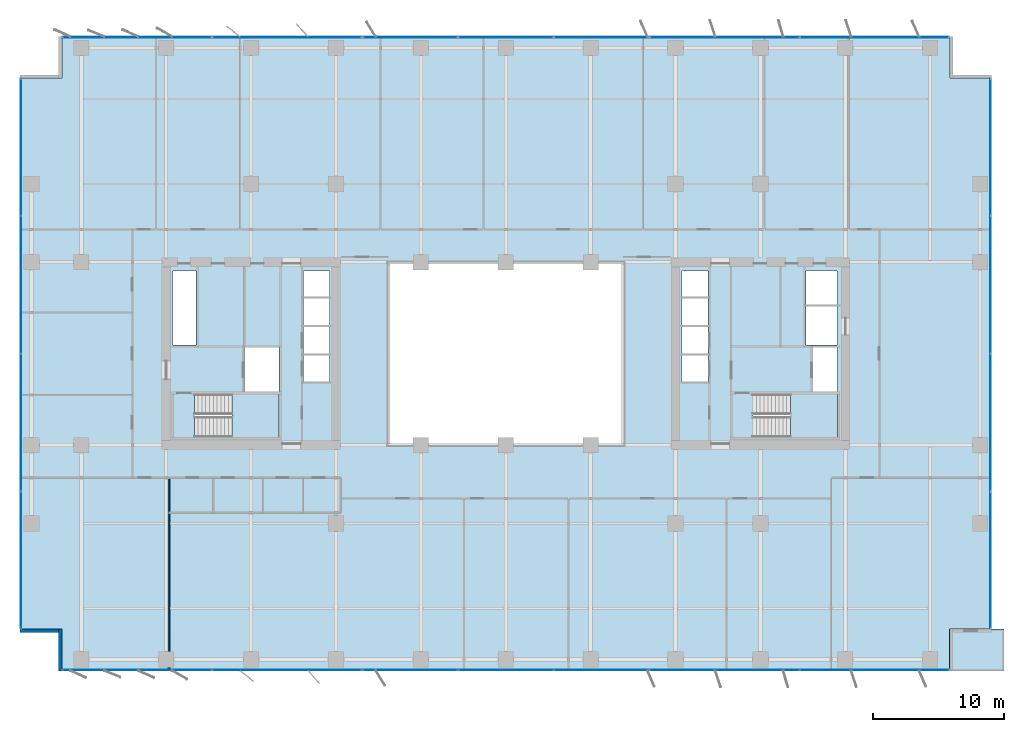
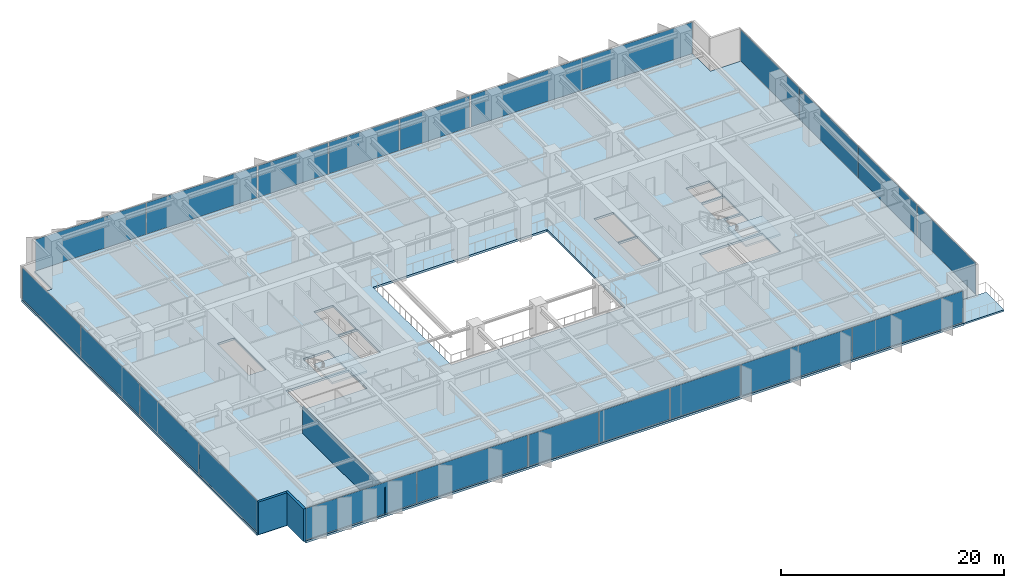
# One storey, part 12 of 20: 22 plates, 4 slabs, 3 walls, 10 elements without a shape of their own.
"""IFC4 building model written with IfcOpenShell, lengths in metres."""

from ifc_helpers import new_model, si_unit, direction, frame, frame_2d, origin, origin_2d, place, context, subcontext, project, spatial, polyline, rectangle, outline, extrude, material, layer, layer_set, type_object, element, aggregate, save


model = new_model("IFC4")

# Units and contexts
model_context = context("Model", 3, precision=1e-05, world=origin(), true_north=direction((0.0, 1.0)))
body_context = subcontext(model_context, "Body", "Model", "MODEL_VIEW")
ifc_project = project(units=[si_unit("LENGTHUNIT", "METRE"), si_unit("AREAUNIT", "SQUARE_METRE"), si_unit("VOLUMEUNIT", "CUBIC_METRE"), si_unit("PLANEANGLEUNIT", "RADIAN"), si_unit("MASSUNIT", "GRAM", prefix="KILO")], contexts=[model_context])

# Site, building, storey
site_placement = place(None, origin())
site = spatial("IfcSite", under=ifc_project, at=site_placement, CompositionType="ELEMENT")
building_placement = place(site_placement, origin())
building = spatial("IfcBuilding", under=site, at=building_placement, Name="Putna Gate Headquarters", CompositionType="ELEMENT")
storey_placement = place(building_placement, frame((0.0, 0.0, 120.199951171875)))
storey = spatial("IfcBuildingStorey", under=building, at=storey_placement, Name="L29", CompositionType="ELEMENT", Elevation=120.199951171875)

# Stair, slab
ifc_material_1 = material(Name="Concrete C40/50", Category="concrete")
stair_type_1 = type_object("IfcStairType", Name="STAIR-ST1", PredefinedType="HALF_TURN_STAIR", material=ifc_material_1)
stair_1_placement = place(storey_placement, origin())
stair_1 = element("IfcStair", 1, at=stair_1_placement, inside=storey, type_object=stair_type_1, Name="L29 West Core Exit Stair ST1", PredefinedType="HALF_TURN_STAIR")
ifc_layer_1 = layer(ifc_material_1, 0.199951171875)
ifc_layer_set_1 = layer_set([ifc_layer_1], Name="Concrete C40/50")
slab_type_1 = type_object("IfcSlabType", Name="LANDING-ST1", PredefinedType="LANDING", material=ifc_layer_set_1)
slab_1_placement = place(storey_placement, frame((0.0, 0.0, 1.699951171875)))
slab_1 = element("IfcSlab", 2, at=slab_1_placement, type_object=slab_type_1, Name="ST1 landing 1", PredefinedType="LANDING", context=body_context, shape_type="SweptSolid", body=[
    extrude(outline(polyline([(18.050048828125, 19.60009765625), (21.64990234375, 19.60009765625), (21.64990234375, 22.89990234375), (18.050048828125, 22.89990234375), (18.050048828125, 19.60009765625)])), origin(), (0.0, 0.0, 1.0), 0.2001953125),
])
aggregate(stair_1, [slab_1])

stair_type_2 = type_object("IfcStairType", Name="STAIR-ST2", PredefinedType="HALF_TURN_STAIR", material=ifc_material_1)
stair_2_placement = place(storey_placement, origin())
stair_2 = element("IfcStair", 3, at=stair_2_placement, inside=storey, type_object=stair_type_2, Name="L29 East Core Exit Stair ST2", PredefinedType="HALF_TURN_STAIR")
ifc_layer_2 = layer(ifc_material_1, 0.199951171875)
ifc_layer_set_2 = layer_set([ifc_layer_2], Name="Concrete C40/50")
slab_type_2 = type_object("IfcSlabType", Name="LANDING-ST2", PredefinedType="LANDING", material=ifc_layer_set_2)
slab_2_placement = place(storey_placement, frame((0.0, 0.0, 1.699951171875)))
slab_2 = element("IfcSlab", 4, at=slab_2_placement, type_object=slab_type_2, Name="ST2 landing 1", PredefinedType="LANDING", context=body_context, shape_type="SweptSolid", body=[
    extrude(outline(polyline([(60.800048828125, 19.60009765625), (64.39990234375, 19.60009765625), (64.39990234375, 22.89990234375), (60.800048828125, 22.89990234375), (60.800048828125, 19.60009765625)])), origin(), (0.0, 0.0, 1.0), 0.2001953125),
])
aggregate(stair_2, [slab_2])

# Curtain wall, plates
ifc_material_2 = material(Name="Anodised bronze aluminium curtain wall", Category="aluminium")
ifc_layer_3 = layer(ifc_material_2, 0.159912109375)
ifc_layer_set_3 = layer_set([ifc_layer_3], Name="Anodised bronze aluminium curtain wall")
curtain_wall_type_1 = type_object("IfcCurtainWallType", Name="CW-SYS-Z2", PredefinedType="USERDEFINED", material=ifc_layer_set_3)
curtain_wall_1_placement = place(storey_placement, origin())
curtain_wall_1 = element("IfcCurtainWall", 5, at=curtain_wall_1_placement, inside=storey, type_object=curtain_wall_type_1, Name="L29 South West Curtain Wall", ObjectType="STICK CURTAIN WALL", PredefinedType="USERDEFINED")
ifc_material_3 = material(Name="Solar-control triple low-E glass", Category="glass")
ifc_layer_4 = layer(ifc_material_3, 0.030029296875)
ifc_layer_set_4 = layer_set([ifc_layer_4], Name="Solar-control triple low-E glass")
plate_type_1 = type_object("IfcPlateType", Name="PAN-CWP-2", PredefinedType="CURTAIN_PANEL", material=ifc_layer_set_4)
plate_1_placement = place(storey_placement, frame((10.766357421875, 1.780029296875, 0.06494140625), z_axis=(0.0, 0.0, 1.0), x_axis=(1.0, 0.0, 0.0)))
plate_1 = element("IfcPlate", 6, at=plate_1_placement, type_object=plate_type_1, Name="CWS-2 panel 1.1", PredefinedType="CURTAIN_PANEL", context=body_context, shape_type="SweptSolid", body=[
    extrude(rectangle(XDim=11.402587890625, YDim=0.030029296875, at=origin_2d()), origin(), (0.0, 0.0, 1.0), 3.43505859375),
])
plate_2_placement = place(storey_placement, frame((22.233642578125, 1.780029296875, 0.06494140625), z_axis=(0.0, 0.0, 1.0), x_axis=(1.0, 0.0, 0.0)))
plate_2 = element("IfcPlate", 7, at=plate_2_placement, type_object=plate_type_1, Name="CWS-2 panel 2.1", PredefinedType="CURTAIN_PANEL", context=body_context, shape_type="SweptSolid", body=[
    extrude(rectangle(XDim=11.402587890625, YDim=0.030029296875, at=origin_2d()), origin(), (0.0, 0.0, 1.0), 3.43505859375),
])
aggregate(curtain_wall_1, [plate_1, plate_2])

curtain_wall_2_placement = place(storey_placement, origin())
curtain_wall_2 = element("IfcCurtainWall", 8, at=curtain_wall_2_placement, inside=storey, type_object=curtain_wall_type_1, Name="L29 South East Curtain Wall", ObjectType="STICK CURTAIN WALL", PredefinedType="USERDEFINED")
plate_3_placement = place(storey_placement, frame((55.766357421875, 1.780029296875, 0.06494140625), z_axis=(0.0, 0.0, 1.0), x_axis=(1.0, 0.0, 0.0)))
plate_3 = element("IfcPlate", 9, at=plate_3_placement, type_object=plate_type_1, Name="CWS-2 panel 1.1", PredefinedType="CURTAIN_PANEL", context=body_context, shape_type="SweptSolid", body=[
    extrude(rectangle(XDim=11.402587890625, YDim=0.030029296875, at=origin_2d()), origin(), (0.0, 0.0, 1.0), 3.43505859375),
])
plate_4_placement = place(storey_placement, frame((67.233642578125, 1.780029296875, 0.06494140625), z_axis=(0.0, 0.0, 1.0), x_axis=(1.0, 0.0, 0.0)))
plate_4 = element("IfcPlate", 10, at=plate_4_placement, type_object=plate_type_1, Name="CWS-2 panel 2.1", PredefinedType="CURTAIN_PANEL", context=body_context, shape_type="SweptSolid", body=[
    extrude(rectangle(XDim=11.402587890625, YDim=0.030029296875, at=origin_2d()), origin(), (0.0, 0.0, 1.0), 3.43505859375),
])
aggregate(curtain_wall_2, [plate_3, plate_4])

curtain_wall_3_placement = place(storey_placement, origin())
curtain_wall_3 = element("IfcCurtainWall", 11, at=curtain_wall_3_placement, inside=storey, type_object=curtain_wall_type_1, Name="L29 North West Curtain Wall", ObjectType="STICK CURTAIN WALL", PredefinedType="USERDEFINED")
plate_5_placement = place(storey_placement, frame((10.766357421875, 50.219970703125, 0.06494140625), z_axis=(0.0, 0.0, 1.0), x_axis=(1.0, 0.0, 0.0)))
plate_5 = element("IfcPlate", 12, at=plate_5_placement, type_object=plate_type_1, Name="CWS-2 panel 1.1", PredefinedType="CURTAIN_PANEL", context=body_context, shape_type="SweptSolid", body=[
    extrude(rectangle(XDim=11.402587890625, YDim=0.030029296875, at=origin_2d()), origin(), (0.0, 0.0, 1.0), 3.43505859375),
])
plate_6_placement = place(storey_placement, frame((22.233642578125, 50.219970703125, 0.06494140625), z_axis=(0.0, 0.0, 1.0), x_axis=(1.0, 0.0, 0.0)))
plate_6 = element("IfcPlate", 13, at=plate_6_placement, type_object=plate_type_1, Name="CWS-2 panel 2.1", PredefinedType="CURTAIN_PANEL", context=body_context, shape_type="SweptSolid", body=[
    extrude(rectangle(XDim=11.402587890625, YDim=0.030029296875, at=origin_2d()), origin(), (0.0, 0.0, 1.0), 3.43505859375),
])
aggregate(curtain_wall_3, [plate_5, plate_6])

curtain_wall_4_placement = place(storey_placement, origin())
curtain_wall_4 = element("IfcCurtainWall", 14, at=curtain_wall_4_placement, inside=storey, type_object=curtain_wall_type_1, Name="L29 North East Curtain Wall", ObjectType="STICK CURTAIN WALL", PredefinedType="USERDEFINED")
plate_7_placement = place(storey_placement, frame((55.766357421875, 50.219970703125, 0.06494140625), z_axis=(0.0, 0.0, 1.0), x_axis=(1.0, 0.0, 0.0)))
plate_7 = element("IfcPlate", 15, at=plate_7_placement, type_object=plate_type_1, Name="CWS-2 panel 1.1", PredefinedType="CURTAIN_PANEL", context=body_context, shape_type="SweptSolid", body=[
    extrude(rectangle(XDim=11.402587890625, YDim=0.030029296875, at=origin_2d()), origin(), (0.0, 0.0, 1.0), 3.43505859375),
])
plate_8_placement = place(storey_placement, frame((67.233642578125, 50.219970703125, 0.06494140625), z_axis=(0.0, 0.0, 1.0), x_axis=(1.0, 0.0, 0.0)))
plate_8 = element("IfcPlate", 16, at=plate_8_placement, type_object=plate_type_1, Name="CWS-2 panel 2.1", PredefinedType="CURTAIN_PANEL", context=body_context, shape_type="SweptSolid", body=[
    extrude(rectangle(XDim=11.402587890625, YDim=0.030029296875, at=origin_2d()), origin(), (0.0, 0.0, 1.0), 3.43505859375),
])
aggregate(curtain_wall_4, [plate_7, plate_8])

curtain_wall_5_placement = place(storey_placement, origin())
curtain_wall_5 = element("IfcCurtainWall", 17, at=curtain_wall_5_placement, inside=storey, type_object=curtain_wall_type_1, Name="L29 West Curtain Wall", ObjectType="STICK CURTAIN WALL", PredefinedType="USERDEFINED")
plate_9_placement = place(storey_placement, frame((1.8798828125, 10.191162109375, 0.06494140625), z_axis=(0.0, 0.0, 1.0), x_axis=(0.0, 1.0, 0.0)))
plate_9 = element("IfcPlate", 18, at=plate_9_placement, type_object=plate_type_1, Name="CWS-2 panel 1.1", PredefinedType="CURTAIN_PANEL", context=body_context, shape_type="SweptSolid", body=[
    extrude(rectangle(XDim=10.452392578125, YDim=0.030029296875, at=origin_2d()), origin(), (0.0, 0.0, 1.0), 3.43505859375),
])
plate_10_placement = place(storey_placement, frame((1.8798828125, 20.72509765625, 0.06494140625), z_axis=(0.0, 0.0, 1.0), x_axis=(0.0, 1.0, 0.0)))
plate_10 = element("IfcPlate", 19, at=plate_10_placement, type_object=plate_type_1, Name="CWS-2 panel 2.1", PredefinedType="CURTAIN_PANEL", context=body_context, shape_type="SweptSolid", body=[
    extrude(rectangle(XDim=10.485107421875, YDim=0.030029296875, at=origin_2d()), origin(), (0.0, 0.0, 1.0), 3.43505859375),
])
plate_11_placement = place(storey_placement, frame((1.8798828125, 31.27490234375, 0.06494140625), z_axis=(0.0, 0.0, 1.0), x_axis=(0.0, 1.0, 0.0)))
plate_11 = element("IfcPlate", 20, at=plate_11_placement, type_object=plate_type_1, Name="CWS-2 panel 3.1", PredefinedType="CURTAIN_PANEL", context=body_context, shape_type="SweptSolid", body=[
    extrude(rectangle(XDim=10.485107421875, YDim=0.030029296875, at=origin_2d()), origin(), (0.0, 0.0, 1.0), 3.43505859375),
])
plate_12_placement = place(storey_placement, frame((1.8798828125, 41.808837890625, 0.06494140625), z_axis=(0.0, 0.0, 1.0), x_axis=(0.0, 1.0, 0.0)))
plate_12 = element("IfcPlate", 21, at=plate_12_placement, type_object=plate_type_1, Name="CWS-2 panel 4.1", PredefinedType="CURTAIN_PANEL", context=body_context, shape_type="SweptSolid", body=[
    extrude(rectangle(XDim=10.452392578125, YDim=0.030029296875, at=origin_2d()), origin(), (0.0, 0.0, 1.0), 3.43505859375),
])
aggregate(curtain_wall_5, [plate_9, plate_10, plate_11, plate_12])

curtain_wall_6_placement = place(storey_placement, origin())
curtain_wall_6 = element("IfcCurtainWall", 22, at=curtain_wall_6_placement, inside=storey, type_object=curtain_wall_type_1, Name="L29 East Curtain Wall", ObjectType="STICK CURTAIN WALL", PredefinedType="USERDEFINED")
plate_13_placement = place(storey_placement, frame((76.1201171875, 10.191162109375, 0.06494140625), z_axis=(0.0, 0.0, 1.0), x_axis=(0.0, 1.0, 0.0)))
plate_13 = element("IfcPlate", 23, at=plate_13_placement, type_object=plate_type_1, Name="CWS-2 panel 1.1", PredefinedType="CURTAIN_PANEL", context=body_context, shape_type="SweptSolid", body=[
    extrude(rectangle(XDim=10.452392578125, YDim=0.030029296875, at=origin_2d()), origin(), (0.0, 0.0, 1.0), 3.43505859375),
])
plate_14_placement = place(storey_placement, frame((76.1201171875, 20.72509765625, 0.06494140625), z_axis=(0.0, 0.0, 1.0), x_axis=(0.0, 1.0, 0.0)))
plate_14 = element("IfcPlate", 24, at=plate_14_placement, type_object=plate_type_1, Name="CWS-2 panel 2.1", PredefinedType="CURTAIN_PANEL", context=body_context, shape_type="SweptSolid", body=[
    extrude(rectangle(XDim=10.485107421875, YDim=0.030029296875, at=origin_2d()), origin(), (0.0, 0.0, 1.0), 3.43505859375),
])
plate_15_placement = place(storey_placement, frame((76.1201171875, 31.27490234375, 0.06494140625), z_axis=(0.0, 0.0, 1.0), x_axis=(0.0, 1.0, 0.0)))
plate_15 = element("IfcPlate", 25, at=plate_15_placement, type_object=plate_type_1, Name="CWS-2 panel 3.1", PredefinedType="CURTAIN_PANEL", context=body_context, shape_type="SweptSolid", body=[
    extrude(rectangle(XDim=10.485107421875, YDim=0.030029296875, at=origin_2d()), origin(), (0.0, 0.0, 1.0), 3.43505859375),
])
plate_16_placement = place(storey_placement, frame((76.1201171875, 41.808837890625, 0.06494140625), z_axis=(0.0, 0.0, 1.0), x_axis=(0.0, 1.0, 0.0)))
plate_16 = element("IfcPlate", 26, at=plate_16_placement, type_object=plate_type_1, Name="CWS-2 panel 4.1", PredefinedType="CURTAIN_PANEL", context=body_context, shape_type="SweptSolid", body=[
    extrude(rectangle(XDim=10.452392578125, YDim=0.030029296875, at=origin_2d()), origin(), (0.0, 0.0, 1.0), 3.43505859375),
])
aggregate(curtain_wall_6, [plate_13, plate_14, plate_15, plate_16])

ifc_layer_5 = layer(ifc_material_2, 0.179931640625)
ifc_layer_set_5 = layer_set([ifc_layer_5], Name="Anodised bronze aluminium curtain wall")
curtain_wall_type_2 = type_object("IfcCurtainWallType", Name="CW-SYS-ATR", PredefinedType="USERDEFINED", material=ifc_layer_set_5)
curtain_wall_7_placement = place(storey_placement, origin())
curtain_wall_7 = element("IfcCurtainWall", 27, at=curtain_wall_7_placement, inside=storey, type_object=curtain_wall_type_2, Name="L29 South Atrium Clear Glazing", ObjectType="ATRIUM GLAZING", PredefinedType="USERDEFINED")
ifc_material_4 = material(Name="Clear low-iron triple glazing", Category="glass")
ifc_layer_6 = layer(ifc_material_4, 0.0400390625)
ifc_layer_set_6 = layer_set([ifc_layer_6], Name="Clear low-iron triple glazing")
plate_type_2 = type_object("IfcPlateType", Name="PAN-CWP-AT", PredefinedType="CURTAIN_PANEL", material=ifc_layer_set_6)
plate_17_placement = place(storey_placement, frame((31.68408203125, 1.780029296875, 0.06982421875), z_axis=(0.0, 0.0, 1.0), x_axis=(1.0, 0.0, 0.0)))
plate_17 = element("IfcPlate", 28, at=plate_17_placement, type_object=plate_type_2, Name="CWS-AT panel 1.1", PredefinedType="CURTAIN_PANEL", context=body_context, shape_type="SweptSolid", body=[
    extrude(rectangle(XDim=7.228271484375, YDim=0.0400390625, at=origin_2d()), origin(), (0.0, 0.0, 1.0), 3.425048828125),
])
plate_18_placement = place(storey_placement, frame((39.0, 1.780029296875, 0.06982421875), z_axis=(0.0, 0.0, 1.0), x_axis=(1.0, 0.0, 0.0)))
plate_18 = element("IfcPlate", 29, at=plate_18_placement, type_object=plate_type_2, Name="CWS-AT panel 2.1", PredefinedType="CURTAIN_PANEL", context=body_context, shape_type="SweptSolid", body=[
    extrude(rectangle(XDim=7.263427734375, YDim=0.0400390625, at=origin_2d()), origin(), (0.0, 0.0, 1.0), 3.425048828125),
])
plate_19_placement = place(storey_placement, frame((46.31591796875, 1.780029296875, 0.06982421875), z_axis=(0.0, 0.0, 1.0), x_axis=(1.0, 0.0, 0.0)))
plate_19 = element("IfcPlate", 30, at=plate_19_placement, type_object=plate_type_2, Name="CWS-AT panel 3.1", PredefinedType="CURTAIN_PANEL", context=body_context, shape_type="SweptSolid", body=[
    extrude(rectangle(XDim=7.228271484375, YDim=0.0400390625, at=origin_2d()), origin(), (0.0, 0.0, 1.0), 3.425048828125),
])
aggregate(curtain_wall_7, [plate_17, plate_18, plate_19])

curtain_wall_8_placement = place(storey_placement, origin())
curtain_wall_8 = element("IfcCurtainWall", 31, at=curtain_wall_8_placement, inside=storey, type_object=curtain_wall_type_2, Name="L29 North Atrium Clear Glazing", ObjectType="ATRIUM GLAZING", PredefinedType="USERDEFINED")
plate_20_placement = place(storey_placement, frame((31.68408203125, 50.219970703125, 0.06982421875), z_axis=(0.0, 0.0, 1.0), x_axis=(1.0, 0.0, 0.0)))
plate_20 = element("IfcPlate", 32, at=plate_20_placement, type_object=plate_type_2, Name="CWS-AT panel 1.1", PredefinedType="CURTAIN_PANEL", context=body_context, shape_type="SweptSolid", body=[
    extrude(rectangle(XDim=7.228271484375, YDim=0.0400390625, at=origin_2d()), origin(), (0.0, 0.0, 1.0), 3.425048828125),
])
plate_21_placement = place(storey_placement, frame((39.0, 50.219970703125, 0.06982421875), z_axis=(0.0, 0.0, 1.0), x_axis=(1.0, 0.0, 0.0)))
plate_21 = element("IfcPlate", 33, at=plate_21_placement, type_object=plate_type_2, Name="CWS-AT panel 2.1", PredefinedType="CURTAIN_PANEL", context=body_context, shape_type="SweptSolid", body=[
    extrude(rectangle(XDim=7.263427734375, YDim=0.0400390625, at=origin_2d()), origin(), (0.0, 0.0, 1.0), 3.425048828125),
])
plate_22_placement = place(storey_placement, frame((46.31591796875, 50.219970703125, 0.06982421875), z_axis=(0.0, 0.0, 1.0), x_axis=(1.0, 0.0, 0.0)))
plate_22 = element("IfcPlate", 34, at=plate_22_placement, type_object=plate_type_2, Name="CWS-AT panel 3.1", PredefinedType="CURTAIN_PANEL", context=body_context, shape_type="SweptSolid", body=[
    extrude(rectangle(XDim=7.228271484375, YDim=0.0400390625, at=origin_2d()), origin(), (0.0, 0.0, 1.0), 3.425048828125),
])
aggregate(curtain_wall_8, [plate_20, plate_21, plate_22])

# Slabs
ifc_layer_7 = layer(ifc_material_1, 0.179931640625)
ifc_layer_set_7 = layer_set([ifc_layer_7], Name="Concrete C40/50")
slab_type_3 = type_object("IfcSlabType", Name="SLAB-TERRACE-180", PredefinedType="FLOOR", material=ifc_layer_set_7)
slab_3_placement = place(storey_placement, frame((0.0, 0.0, -0.179931640625)))
element("IfcSlab", 35, at=slab_3_placement, inside=storey, type_object=slab_type_3, Name="L29 Spiral Sky-Garden Terrace Slab (SE)", PredefinedType="FLOOR", context=body_context, shape_type="SweptSolid", body=[
    extrude(outline(polyline([(72.991943359375, 1.699951171875), (77.14990234375, 1.699951171875), (77.14990234375, 4.907958984375), (72.991943359375, 4.907958984375), (72.991943359375, 1.699951171875)])), origin(), (0.0, 0.0, 1.0), 0.179931640625),
])
ifc_layer_8 = layer(ifc_material_1, 0.235107421875)
ifc_layer_set_8 = layer_set([ifc_layer_8], Name="Concrete C40/50")
slab_type_4 = type_object("IfcSlabType", Name="SLAB-Z2-235", PredefinedType="FLOOR", material=ifc_layer_set_8)
slab_4_placement = place(storey_placement, frame((0.0, 0.0, -0.23486328125)))
element("IfcSlab", 36, at=slab_4_placement, inside=storey, type_object=slab_type_4, Name="L29 Composite Floor Slab", PredefinedType="FLOOR", context=body_context, shape_type="SweptSolid", body=[
    extrude(outline(polyline([(5.0, 1.699951171875), (73.0, 1.699951171875), (73.0, 4.89990234375), (76.199951171875, 4.89990234375), (76.199951171875, 47.10009765625), (73.0, 47.10009765625), (73.0, 50.300048828125), (5.0, 50.300048828125), (5.0, 47.10009765625), (1.800048828125, 47.10009765625), (1.800048828125, 4.89990234375), (5.0, 4.89990234375), (5.0, 1.699951171875)]), holes=[polyline([(15.1650390625, 19.60009765625), (21.64990234375, 19.60009765625), (21.64990234375, 22.89990234375), (15.1650390625, 22.89990234375), (15.1650390625, 19.60009765625)]), polyline([(57.9150390625, 19.60009765625), (64.39990234375, 19.60009765625), (64.39990234375, 22.89990234375), (57.9150390625, 22.89990234375), (57.9150390625, 19.60009765625)]), polyline([(13.52001953125, 26.659912109375), (15.280029296875, 26.659912109375), (15.280029296875, 32.35009765625), (13.52001953125, 32.35009765625), (13.52001953125, 26.659912109375)]), polyline([(61.969970703125, 29.780029296875), (64.35009765625, 29.780029296875), (64.35009765625, 32.35009765625), (61.969970703125, 32.35009765625), (61.969970703125, 29.780029296875)]), polyline([(18.97998046875, 23.1201171875), (21.6201171875, 23.1201171875), (21.6201171875, 26.4599609375), (18.97998046875, 26.4599609375), (18.97998046875, 23.1201171875)]), polyline([(62.52001953125, 23.1201171875), (64.35009765625, 23.1201171875), (64.35009765625, 26.4599609375), (62.52001953125, 26.4599609375), (62.52001953125, 23.1201171875)]), polyline([(61.969970703125, 26.659912109375), (64.35009765625, 26.659912109375), (64.35009765625, 29.6201171875), (61.969970703125, 29.6201171875), (61.969970703125, 26.659912109375)]), polyline([(23.5, 23.860107421875), (25.5, 23.860107421875), (25.5, 28.0400390625), (23.5, 28.0400390625), (23.5, 23.860107421875)]), polyline([(52.47998046875, 23.860107421875), (54.5, 23.860107421875), (54.5, 28.0400390625), (52.47998046875, 28.0400390625), (52.47998046875, 23.860107421875)]), polyline([(23.5, 28.199951171875), (25.5, 28.199951171875), (25.5, 32.35009765625), (23.5, 32.35009765625), (23.5, 28.199951171875)]), polyline([(52.47998046875, 28.199951171875), (54.5, 28.199951171875), (54.5, 32.35009765625), (52.47998046875, 32.35009765625), (52.47998046875, 28.199951171875)]), polyline([(30.0, 19.0), (48.0, 19.0), (48.0, 33.0), (30.0, 33.0), (30.0, 19.0)])]), origin(), (0.0, 0.0, 1.0), 0.23486328125),
])

# Walls
ifc_material_5 = material(Name="Precast concrete C40/50", Category="concrete")
ifc_layer_9 = layer(ifc_material_5, 0.239990234375)
ifc_layer_set_9 = layer_set([ifc_layer_9], Name="Precast concrete C40/50")
wall_type_1 = type_object("IfcWallType", Name="WALL-EXT-TERR-240", PredefinedType="STANDARD", material=ifc_layer_set_9)
for number, where, z_axis, x_axis, name in (
    (37, (4.8798828125, 1.699951171875, 0.0), (0.0, 0.0, 1.0), (0.0, 1.0, 0.0), "L29 Corner Notch Return Wall SW-V"),
    (38, (5.0, 4.780029296875, 0.0), (0.0, 0.0, 1.0), (-1.0, 0.0, 0.0), "L29 Corner Notch Return Wall SW-H"),
):
    element("IfcWall", number, at=place(storey_placement, frame(where, z_axis=z_axis, x_axis=x_axis)), inside=storey, type_object=wall_type_1, Name=name, PredefinedType="STANDARD", context=body_context, shape_type="SweptSolid", body=[
        extrude(rectangle(XDim=3.199951171875, YDim=0.239990234375, at=frame_2d((1.60009765625, 0.0))), origin(), (0.0, 0.0, 1.0), 3.56494140625),
    ])
ifc_material_6 = material(Name="Acoustic gypsum board on metal stud")
ifc_layer_10 = layer(ifc_material_6, 0.1201171875)
ifc_layer_set_10 = layer_set([ifc_layer_10], Name="Acoustic gypsum board on metal stud")
wall_type_2 = type_object("IfcWallType", Name="WALL-PART-120", PredefinedType="PARTITIONING", material=ifc_layer_set_10)
wall_placement = place(storey_placement, frame((13.199951171875, 1.719970703125, 0.0), z_axis=(0.0, 0.0, 1.0), x_axis=(0.0, 1.0, 0.0)))
element("IfcWall", 39, at=wall_placement, inside=storey, type_object=wall_type_2, Name="L29 Interior Wall PART-L29-SB-DIV-01", PredefinedType="PARTITIONING", context=body_context, shape_type="SweptSolid", body=[
    extrude(rectangle(XDim=14.719970703125, YDim=0.1201171875, at=frame_2d((7.35986328125, 0.0))), origin(), (0.0, 0.0, 1.0), 2.965087890625),
])

save(model, "model.ifc")
